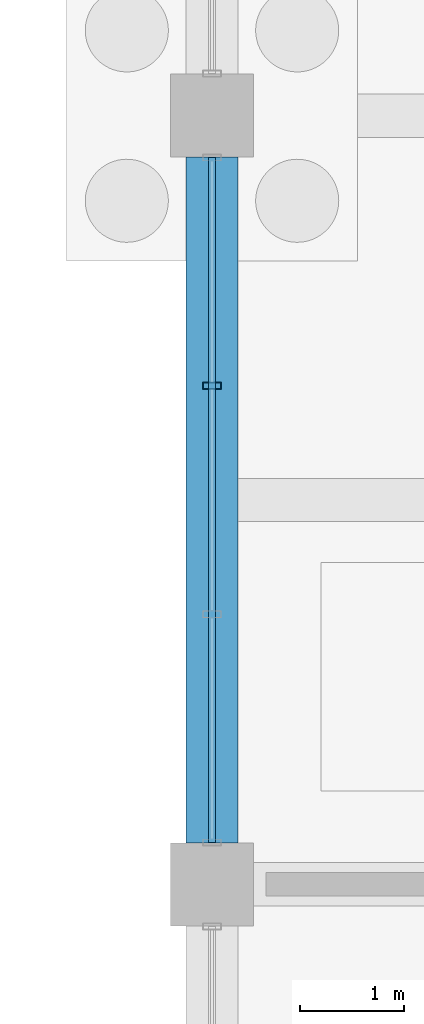
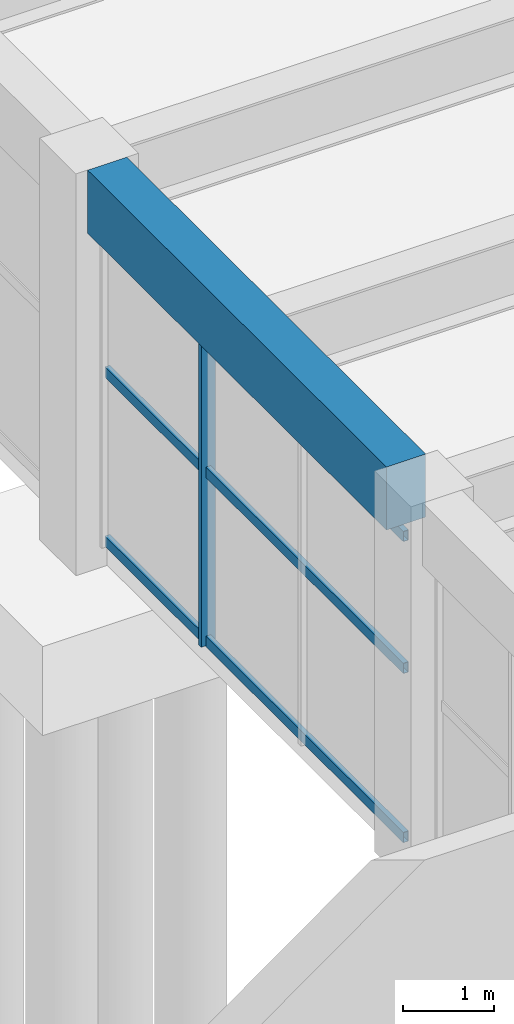
# One storey, part 72 of 140: 4 members, 1 beam, 1 element without a shape of its own.
"""IFC4 building model written with IfcOpenShell, lengths in metres."""

from ifc_helpers import new_model, si_unit, direction, frame, origin, origin_2d, place, context, subcontext, project, spatial, rectangle, hollow_rectangle, extrude, material, material_profile, profile_set, type_object, element, aggregate, save


model = new_model("IFC4")

# Units and contexts
model_context = context("Model", 3, precision=1e-05, world=origin(), true_north=direction((0.0, 1.0)))
body_context = subcontext(model_context, "Body", "Model", "MODEL_VIEW")
ifc_project = project(units=[si_unit("LENGTHUNIT", "METRE"), si_unit("AREAUNIT", "SQUARE_METRE"), si_unit("VOLUMEUNIT", "CUBIC_METRE"), si_unit("PLANEANGLEUNIT", "RADIAN"), si_unit("MASSUNIT", "GRAM", prefix="KILO")], contexts=[model_context])

# Site, building, storey
site_placement = place(None, origin())
site = spatial("IfcSite", under=ifc_project, at=site_placement, CompositionType="ELEMENT")
building_placement = place(site_placement, origin())
building = spatial("IfcBuilding", under=site, at=building_placement, Name="Cimatlan Art Gallery", CompositionType="ELEMENT")
storey_placement = place(building_placement, origin())
storey = spatial("IfcBuildingStorey", under=building, at=storey_placement, Name="L00", CompositionType="ELEMENT", Elevation=0.0)

# Beam
ifc_material_1 = material(Name="Concrete C40/50", Category="concrete")
ifc_material_profile_1 = material_profile(ifc_material_1, rectangle(XDim=0.5, YDim=0.85009765625, at=origin_2d()), Name="RC500X850")
ifc_profile_set_1 = profile_set([ifc_material_profile_1], Name="Concrete C40/50")
beam_type = type_object("IfcBeamType", Name="BM-RC-500X850", PredefinedType="BEAM", material=ifc_profile_set_1)
beam_placement = place(storey_placement, frame((74.89990234375, 76.10009765625, 4.7099609375), z_axis=(0.0, 1.0, 0.0), x_axis=(-1.0, 0.0, 0.0)))
element("IfcBeam", 1, at=beam_placement, inside=storey, type_object=beam_type, Name="BM-Y-L00-09-10", PredefinedType="BEAM", context=body_context, shape_type="SweptSolid", body=[
    extrude(rectangle(XDim=0.5, YDim=0.85009765625, at=origin_2d()), origin(), (0.0, 0.0, 1.0), 6.599853515625),
])

# Curtain wall, members
ifc_material_2 = material(Name="Anodised bronze unitised curtain wall")
curtain_wall_type = type_object("IfcCurtainWallType", Name="CW-V-06592X04178-B3", PredefinedType="NOTDEFINED", material=ifc_material_2)
curtain_wall_placement = place(storey_placement, origin())
curtain_wall = element("IfcCurtainWall", 2, at=curtain_wall_placement, inside=storey, type_object=curtain_wall_type, Name="CW-L00-09-10-W", PredefinedType="NOTDEFINED")
ifc_material_3 = material(Name="Anodised bronze aluminium 6063-T6", Category="aluminium")
ifc_material_profile_2 = material_profile(ifc_material_3, hollow_rectangle(XDim=0.06494140625, YDim=0.179931640625, WallThickness=0.00390625, at=origin_2d()), Name="ALU65X180X4")
ifc_profile_set_2 = profile_set([ifc_material_profile_2], Name="Anodised bronze aluminium 6063-T6")
member_type_1 = type_object("IfcMemberType", Name="CW-MUL-180", PredefinedType="MULLION", material=ifc_profile_set_2)
member_1_placement = place(storey_placement, frame((74.89990234375, 80.498779296875, 0.0), z_axis=(0.0, 0.0, 1.0), x_axis=(0.0, 1.0, 0.0)))
member_1 = element("IfcMember", 3, at=member_1_placement, type_object=member_type_1, Name="CW-L00-09-10-W-M3", PredefinedType="MULLION", context=body_context, shape_type="SweptSolid", body=[
    extrude(hollow_rectangle(XDim=0.06494140625, YDim=0.179931640625, WallThickness=0.00390625, at=origin_2d()), origin(), (0.0, 0.0, 1.0), 4.177978515625),
])
ifc_material_profile_3 = material_profile(ifc_material_3, hollow_rectangle(XDim=0.06494140625, YDim=0.139892578125, WallThickness=0.00390625, at=origin_2d()), Name="ALU65X140X4")
ifc_profile_set_3 = profile_set([ifc_material_profile_3], Name="Anodised bronze aluminium 6063-T6")
member_type_2 = type_object("IfcMemberType", Name="CW-TRN-140", PredefinedType="USERDEFINED", material=ifc_profile_set_3)
member_2_placement = place(storey_placement, frame((74.89990234375, 76.10400390625, 0.06005859375), z_axis=(0.0, 1.0, 0.0), x_axis=(-1.0, 0.0, 0.0)))
member_2 = element("IfcMember", 4, at=member_2_placement, type_object=member_type_2, Name="CW-L00-09-10-W-T1", ObjectType="TRANSOM", PredefinedType="USERDEFINED", context=body_context, shape_type="SweptSolid", body=[
    extrude(hollow_rectangle(XDim=0.06494140625, YDim=0.139892578125, WallThickness=0.00390625, at=origin_2d()), origin(), (0.0, 0.0, 1.0), 6.592041015625),
])
member_3_placement = place(storey_placement, frame((74.89990234375, 76.10400390625, 2.339599609375), z_axis=(0.0, 1.0, 0.0), x_axis=(-1.0, 0.0, 0.0)))
member_3 = element("IfcMember", 5, at=member_3_placement, type_object=member_type_2, Name="CW-L00-09-10-W-T2", ObjectType="TRANSOM", PredefinedType="USERDEFINED", context=body_context, shape_type="SweptSolid", body=[
    extrude(hollow_rectangle(XDim=0.06494140625, YDim=0.139892578125, WallThickness=0.00390625, at=origin_2d()), origin(), (0.0, 0.0, 1.0), 6.592041015625),
])
member_4_placement = place(storey_placement, frame((74.89990234375, 76.10400390625, 4.117919921875), z_axis=(0.0, 1.0, 0.0), x_axis=(-1.0, 0.0, 0.0)))
member_4 = element("IfcMember", 6, at=member_4_placement, type_object=member_type_2, Name="CW-L00-09-10-W-T3", ObjectType="TRANSOM", PredefinedType="USERDEFINED", context=body_context, shape_type="SweptSolid", body=[
    extrude(hollow_rectangle(XDim=0.06494140625, YDim=0.139892578125, WallThickness=0.00390625, at=origin_2d()), origin(), (0.0, 0.0, 1.0), 6.592041015625),
])
aggregate(curtain_wall, [member_1, member_2, member_3, member_4])

save(model, "model.ifc")
